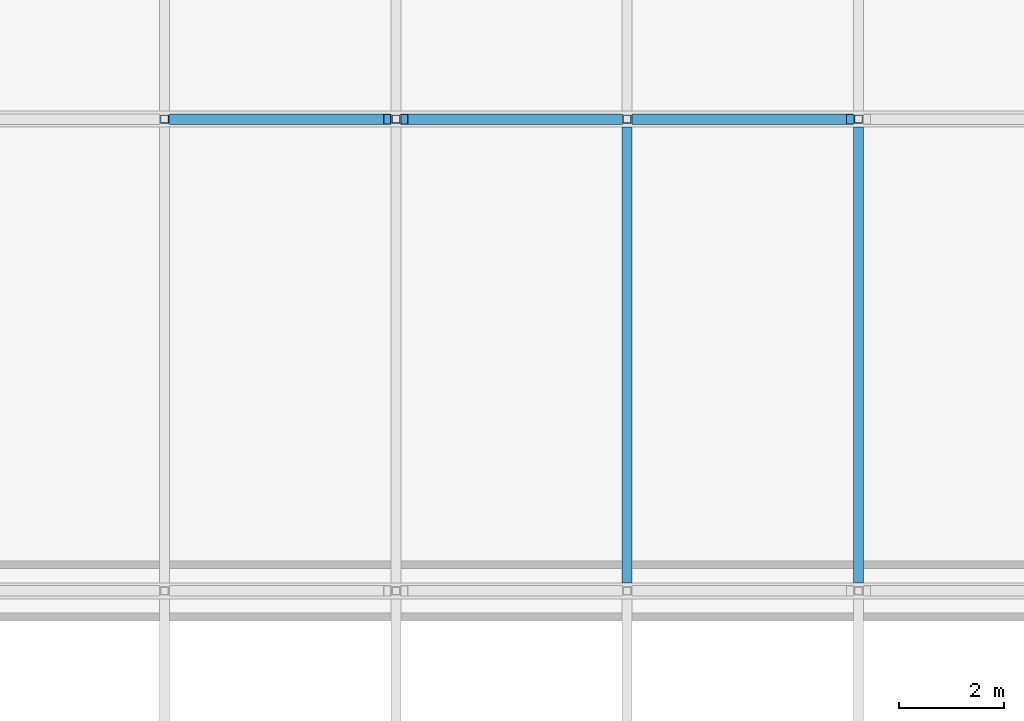
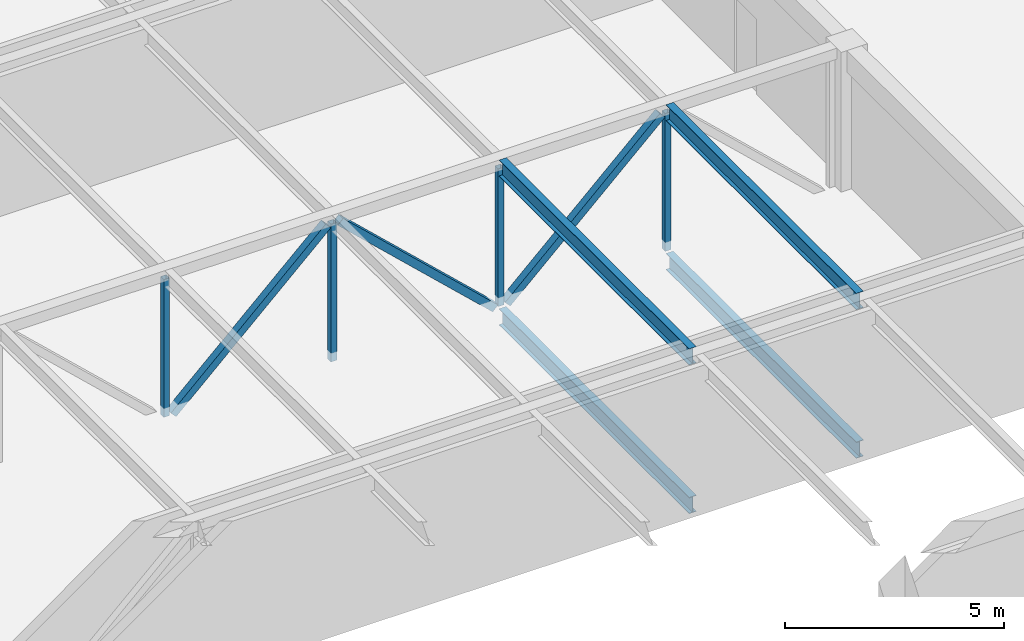
# One storey, part 7 of 30: 7 members, 4 beams.
"""IFC4 building model written with IfcOpenShell, lengths in metres."""

from ifc_helpers import new_model, si_unit, direction, frame, origin, origin_2d, place, context, subcontext, project, spatial, hollow_rectangle, i_section, extrude, material, material_profile, profile_set, type_object, element, save


model = new_model("IFC4")

# Units and contexts
model_context = context("Model", 3, precision=1e-05, world=origin(), true_north=direction((0.0, 1.0)))
body_context = subcontext(model_context, "Body", "Model", "MODEL_VIEW")
ifc_project = project(units=[si_unit("LENGTHUNIT", "METRE"), si_unit("AREAUNIT", "SQUARE_METRE"), si_unit("VOLUMEUNIT", "CUBIC_METRE"), si_unit("PLANEANGLEUNIT", "RADIAN"), si_unit("MASSUNIT", "GRAM", prefix="KILO")], contexts=[model_context])

# Site, building, storey
site_placement = place(None, origin())
site = spatial("IfcSite", under=ifc_project, at=site_placement, CompositionType="ELEMENT")
building_placement = place(site_placement, origin())
building = spatial("IfcBuilding", under=site, at=building_placement, Name="Corbel Stack Research Tower", CompositionType="ELEMENT")
storey_placement = place(building_placement, frame((0.0, 0.0, 19.5)))
storey = spatial("IfcBuildingStorey", under=building, at=storey_placement, Name="L04", CompositionType="ELEMENT", Elevation=19.5)

# Beams
ifc_material_1 = material(Name="Steel S355", Category="steel")
ifc_material_profile_1 = material_profile(ifc_material_1, i_section(OverallWidth=0.18994140625, OverallDepth=0.45703125, WebThickness=0.009033203125, FlangeThickness=0.013916015625, at=origin_2d()), Name="W18x50")
ifc_profile_set_1 = profile_set([ifc_material_profile_1], Name="Steel S355")
beam_type = type_object("IfcBeamType", Name="HB3 steel beam W18x50", PredefinedType="BEAM", material=ifc_profile_set_1)
for number, where, z_axis, x_axis, name in (
    (1, (77.77490234375, -8.847412109375, -0.478515625), (0.0, 1.0, 0.0), (-1.0, 0.0, 0.0), "Steel floor beam L04 bay 2 line 6"),
    (2, (82.1875, -8.847412109375, -0.478515625), (0.0, 1.0, 0.0), (-1.0, 0.0, 0.0), "Steel floor beam L04 bay 2 line 7"),
    (3, (77.77490234375, -8.847412109375, 3.67138671875), (0.0, 1.0, 0.0), (-1.0, 0.0, 0.0), "Steel floor beam R bay 2 line 6"),
    (4, (82.1875, -8.847412109375, 3.67138671875), (0.0, 1.0, 0.0), (-1.0, 0.0, 0.0), "Steel floor beam R bay 2 line 7"),
):
    element("IfcBeam", number, at=place(storey_placement, frame(where, z_axis=z_axis, x_axis=x_axis)), inside=storey, type_object=beam_type, Name=name, PredefinedType="BEAM", context=body_context, shape_type="SweptSolid", body=[
        extrude(i_section(OverallWidth=0.18994140625, OverallDepth=0.45703125, WebThickness=0.009033203125, FlangeThickness=0.013916015625, at=origin_2d()), origin(), (0.0, 0.0, 1.0), 8.69482421875),
    ])

# Members
ifc_material_2 = material(Name="Steel S355", Category="steel")
ifc_material_profile_2 = material_profile(ifc_material_2, hollow_rectangle(XDim=0.202880859375, YDim=0.202880859375, WallThickness=0.0087890625, at=origin_2d()), Name="HSS8x8x3/8")
ifc_profile_set_2 = profile_set([ifc_material_profile_2], Name="Steel S355")
member_type_1 = type_object("IfcMemberType", Name="HT2 truss diagonal HSS8x8x3/8", PredefinedType="BRACE", material=ifc_profile_set_2)
for number, where, z_axis, x_axis, name in (
    (5, (69.112060546875, 0.0, -0.25), (0.728459187547, 0.0, 0.685089200089), (0.0, 1.0, 0.0), "Truss TB2 diagonal 5"),
    (6, (73.524658203125, 0.0, 3.594970703125), (0.728438769744, 0.0, -0.685110909805), (0.0, 1.0, 0.0), "Truss TB2 diagonal 6"),
    (7, (77.937255859375, 0.0, -0.25), (0.728438769744, 0.0, 0.685110909805), (0.0, 1.0, 0.0), "Truss TB2 diagonal 7"),
):
    element("IfcMember", number, at=place(storey_placement, frame(where, z_axis=z_axis, x_axis=x_axis)), inside=storey, type_object=member_type_1, Name=name, PredefinedType="BRACE", context=body_context, shape_type="SweptSolid", body=[
        extrude(hollow_rectangle(XDim=0.202880859375, YDim=0.202880859375, WallThickness=0.0087890625, at=origin_2d()), origin(), (0.0, 0.0, 1.0), 5.6123046875),
    ])
ifc_material_3 = material(Name="Steel S355", Category="steel")
ifc_material_profile_3 = material_profile(ifc_material_3, hollow_rectangle(XDim=0.152099609375, YDim=0.152099609375, WallThickness=0.005859375, at=origin_2d()), Name="HSS6x6x1/4")
ifc_profile_set_3 = profile_set([ifc_material_profile_3], Name="Steel S355")
member_type_2 = type_object("IfcMemberType", Name="HT3 truss post HSS6x6x1/4", PredefinedType="POST", material=ifc_profile_set_3)
for number, where, z_axis, x_axis, name in (
    (8, (68.949951171875, 0.0, -0.25), (0.0, 0.0, 1.0), (1.0, 0.0, 0.0), "Truss TB2 post 5"),
    (9, (73.362548828125, 0.0, -0.25), (0.0, 0.0, 1.0), (1.0, 0.0, 0.0), "Truss TB2 post 6"),
    (10, (77.77490234375, 0.0, -0.25), (0.0, 0.0, 1.0), (1.0, 0.0, 0.0), "Truss TB2 post 7"),
    (11, (82.1875, 0.0, -0.25), (0.0, 0.0, 1.0), (1.0, 0.0, 0.0), "Truss TB2 post 8"),
):
    element("IfcMember", number, at=place(storey_placement, frame(where, z_axis=z_axis, x_axis=x_axis)), inside=storey, type_object=member_type_2, Name=name, PredefinedType="POST", context=body_context, shape_type="SweptSolid", body=[
        extrude(hollow_rectangle(XDim=0.152099609375, YDim=0.152099609375, WallThickness=0.005859375, at=origin_2d()), origin(), (0.0, 0.0, 1.0), 3.844970703125),
    ])

save(model, "model.ifc")
